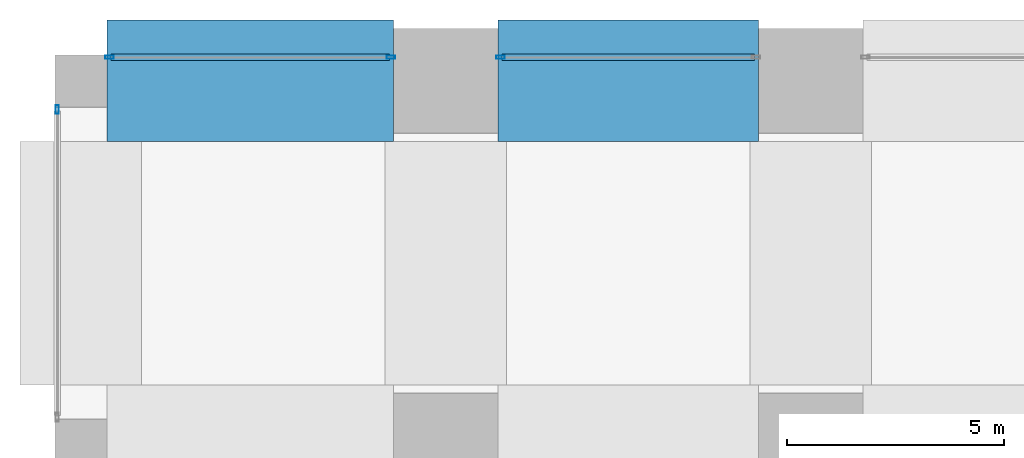
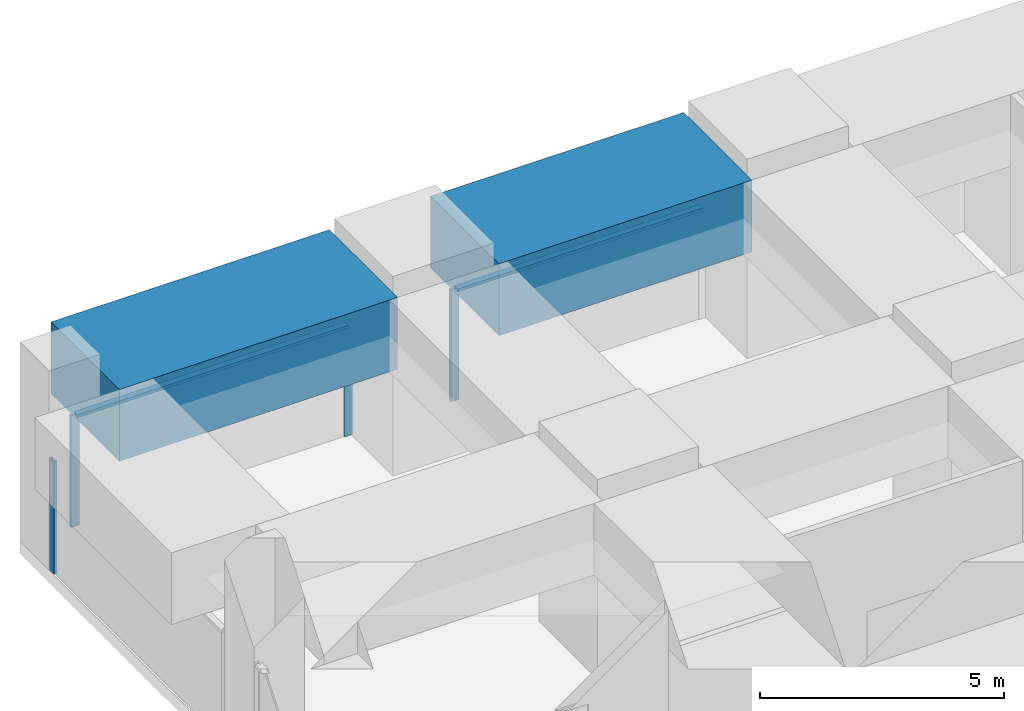
# One storey, part 23 of 52: 6 members, 2 beams, 3 elements without a shape of their own.
"""IFC4 building model written with IfcOpenShell, lengths in metres."""

from ifc_helpers import new_model, si_unit, direction, frame, origin, origin_2d, place, context, subcontext, project, spatial, rectangle, hollow_rectangle, extrude, material, material_profile, profile_set, type_object, element, aggregate, save


model = new_model("IFC4")

# Units and contexts
model_context = context("Model", 3, precision=1e-05, world=origin(), true_north=direction((0.0, 1.0)))
body_context = subcontext(model_context, "Body", "Model", "MODEL_VIEW")
ifc_project = project(units=[si_unit("LENGTHUNIT", "METRE"), si_unit("AREAUNIT", "SQUARE_METRE"), si_unit("VOLUMEUNIT", "CUBIC_METRE"), si_unit("PLANEANGLEUNIT", "RADIAN"), si_unit("MASSUNIT", "GRAM", prefix="KILO")], contexts=[model_context])

# Site, building, storey
site_placement = place(None, origin())
site = spatial("IfcSite", under=ifc_project, at=site_placement, CompositionType="ELEMENT")
building_placement = place(site_placement, origin())
building = spatial("IfcBuilding", under=site, at=building_placement, Name="Rekha Terrace Tower", CompositionType="ELEMENT")
storey_placement = place(building_placement, frame((0.0, 0.0, 20.39990234375)))
storey = spatial("IfcBuildingStorey", under=building, at=storey_placement, Name="L04", CompositionType="ELEMENT", Elevation=20.39990234375)

# Curtain wall, member
ifc_material_1 = material(Name="Aluminium framing", Category="aluminium")
curtain_wall_type = type_object("IfcCurtainWallType", Name="CW4 podium shopfront glazing", PredefinedType="USERDEFINED", material=ifc_material_1)
curtain_wall_1_placement = place(storey_placement, origin())
curtain_wall_1 = element("IfcCurtainWall", 1, at=curtain_wall_1_placement, inside=storey, type_object=curtain_wall_type, Name="CW4 shopfront curtain wall", ObjectType="SHOPFRONT CURTAIN WALL", PredefinedType="USERDEFINED")
ifc_material_2 = material(Name="Aluminium mullion section", Category="aluminium")
ifc_material_profile_1 = material_profile(ifc_material_2, hollow_rectangle(XDim=0.074951171875, YDim=0.199951171875, WallThickness=0.00390625, at=origin_2d()), Name="AL RHS 75x200")
ifc_profile_set_1 = profile_set([ifc_material_profile_1], Name="Aluminium mullion section")
member_type_1 = type_object("IfcMemberType", Name="CW4 mullion RHS 75 x 200", PredefinedType="MULLION", material=ifc_profile_set_1)
member_1_placement = place(storey_placement, frame((9.657470703125, 59.340087890625, 0.0), z_axis=(0.0, 0.0, 1.0), x_axis=(0.0, -1.0, 0.0)))
member_1 = element("IfcMember", 2, at=member_1_placement, type_object=member_type_1, Name="CW4 mullion 2", PredefinedType="MULLION", context=body_context, shape_type="SweptSolid", body=[
    extrude(hollow_rectangle(XDim=0.074951171875, YDim=0.199951171875, WallThickness=0.00390625, at=origin_2d()), origin(), (0.0, 0.0, 1.0), 2.800048828125),
])

# Curtain wall, members
curtain_wall_2_placement = place(storey_placement, origin())
curtain_wall_2 = element("IfcCurtainWall", 3, at=curtain_wall_2_placement, inside=storey, type_object=curtain_wall_type, Name="CW4 shopfront curtain wall", ObjectType="SHOPFRONT CURTAIN WALL", PredefinedType="USERDEFINED")
member_2_placement = place(storey_placement, frame((7.142578125, 59.340087890625, 0.0), z_axis=(0.0, 0.0, 1.0), x_axis=(0.0, -1.0, 0.0)))
member_2 = element("IfcMember", 4, at=member_2_placement, type_object=member_type_1, Name="CW4 mullion 1", PredefinedType="MULLION", context=body_context, shape_type="SweptSolid", body=[
    extrude(hollow_rectangle(XDim=0.074951171875, YDim=0.199951171875, WallThickness=0.00390625, at=origin_2d()), origin(), (0.0, 0.0, 1.0), 2.800048828125),
])
member_3_placement = place(storey_placement, frame((0.657470703125, 59.340087890625, 0.0), z_axis=(0.0, 0.0, 1.0), x_axis=(0.0, -1.0, 0.0)))
member_3 = element("IfcMember", 5, at=member_3_placement, type_object=member_type_1, Name="CW4 mullion 2", PredefinedType="MULLION", context=body_context, shape_type="SweptSolid", body=[
    extrude(hollow_rectangle(XDim=0.074951171875, YDim=0.199951171875, WallThickness=0.00390625, at=origin_2d()), origin(), (0.0, 0.0, 1.0), 2.800048828125),
])

# Curtain wall, member
curtain_wall_3_placement = place(storey_placement, origin())
curtain_wall_3 = element("IfcCurtainWall", 6, at=curtain_wall_3_placement, inside=storey, type_object=curtain_wall_type, Name="CW4 shopfront curtain wall", ObjectType="SHOPFRONT CURTAIN WALL", PredefinedType="USERDEFINED")
member_4_placement = place(storey_placement, frame((-0.5400390625, 58.142578125, 0.0), z_axis=(0.0, 0.0, 1.0), x_axis=(1.0, 0.0, 0.0)))
member_4 = element("IfcMember", 7, at=member_4_placement, type_object=member_type_1, Name="CW4 mullion 1", PredefinedType="MULLION", context=body_context, shape_type="SweptSolid", body=[
    extrude(hollow_rectangle(XDim=0.074951171875, YDim=0.199951171875, WallThickness=0.00390625, at=origin_2d()), origin(), (0.0, 0.0, 1.0), 2.800048828125),
])
aggregate(curtain_wall_3, [member_4])

# Member
ifc_material_3 = material(Name="Aluminium transom section", Category="aluminium")
ifc_material_profile_2 = material_profile(ifc_material_3, hollow_rectangle(XDim=0.14990234375, YDim=0.074951171875, WallThickness=0.0029296875, at=origin_2d()), Name="AL RHS 150x75")
ifc_profile_set_2 = profile_set([ifc_material_profile_2], Name="Aluminium transom section")
member_type_2 = type_object("IfcMemberType", Name="CW4 transom RHS 75 x 150", PredefinedType="USERDEFINED", material=ifc_profile_set_2)
member_5_placement = place(storey_placement, frame((15.5048828125, 59.340087890625, 2.7626953125), z_axis=(-1.0, 0.0, 0.0), x_axis=(0.0, -1.0, 0.0)))
member_5 = element("IfcMember", 8, at=member_5_placement, type_object=member_type_2, Name="CW4 transom 1.2", ObjectType="TRANSOM", PredefinedType="USERDEFINED", context=body_context, shape_type="SweptSolid", body=[
    extrude(hollow_rectangle(XDim=0.14990234375, YDim=0.074951171875, WallThickness=0.0029296875, at=origin_2d()), origin(), (0.0, 0.0, 1.0), 5.809814453125),
])

aggregate(curtain_wall_1, [member_1, member_5])

member_6_placement = place(storey_placement, frame((7.10498046875, 59.340087890625, 2.7626953125), z_axis=(-1.0, 0.0, 0.0), x_axis=(0.0, -1.0, 0.0)))
member_6 = element("IfcMember", 9, at=member_6_placement, type_object=member_type_2, Name="CW4 transom 1.2", ObjectType="TRANSOM", PredefinedType="USERDEFINED", context=body_context, shape_type="SweptSolid", body=[
    extrude(hollow_rectangle(XDim=0.14990234375, YDim=0.074951171875, WallThickness=0.0029296875, at=origin_2d()), origin(), (0.0, 0.0, 1.0), 6.409912109375),
])

aggregate(curtain_wall_2, [member_2, member_3, member_6])

# Beams
ifc_material_4 = material(Name="Concrete M70", Category="concrete")
ifc_material_profile_3 = material_profile(ifc_material_4, rectangle(XDim=2.800048828125, YDim=1.800048828125, at=origin_2d()), Name="RC 2800x1800")
ifc_profile_set_3 = profile_set([ifc_material_profile_3], Name="Concrete M70")
beam_type = type_object("IfcBeamType", Name="G2 2800x1800 podium roof band beam", PredefinedType="BEAM", material=ifc_profile_set_3)
beam_1_placement = place(storey_placement, frame((0.60009765625, 58.800048828125, 3.7001953125), z_axis=(1.0, 0.0, 0.0), x_axis=(0.0, 1.0, 0.0)))
element("IfcBeam", 10, at=beam_1_placement, inside=storey, type_object=beam_type, Name="Beam G2 1H-2H under L05", PredefinedType="BEAM", context=body_context, shape_type="SweptSolid", body=[
    extrude(rectangle(XDim=2.800048828125, YDim=1.800048828125, at=origin_2d()), origin(), (0.0, 0.0, 1.0), 6.599853515625),
])
beam_2_placement = place(storey_placement, frame((9.60009765625, 58.800048828125, 3.7001953125), z_axis=(1.0, 0.0, 0.0), x_axis=(0.0, 1.0, 0.0)))
element("IfcBeam", 11, at=beam_2_placement, inside=storey, type_object=beam_type, Name="Beam G2 2H-3H under L05", PredefinedType="BEAM", context=body_context, shape_type="SweptSolid", body=[
    extrude(rectangle(XDim=2.800048828125, YDim=1.800048828125, at=origin_2d()), origin(), (0.0, 0.0, 1.0), 6.0),
])

save(model, "model.ifc")
